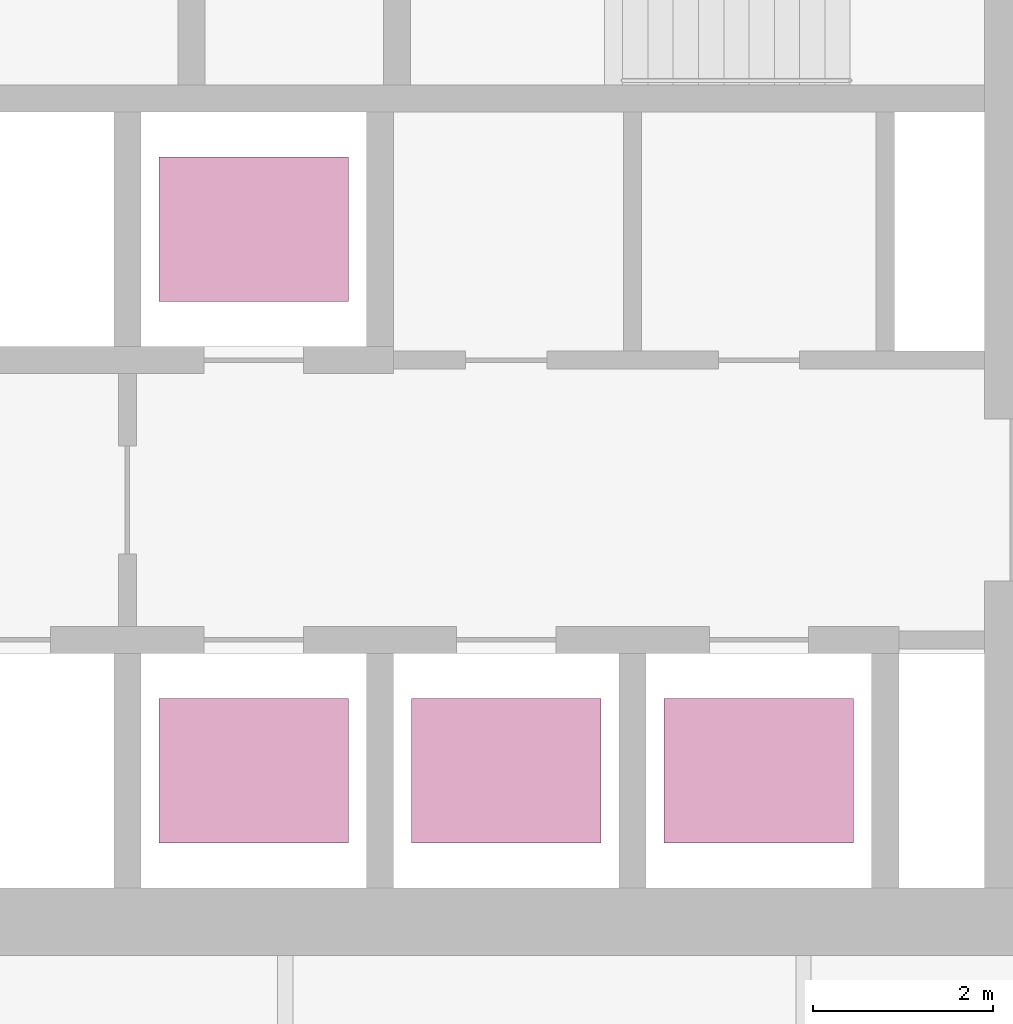
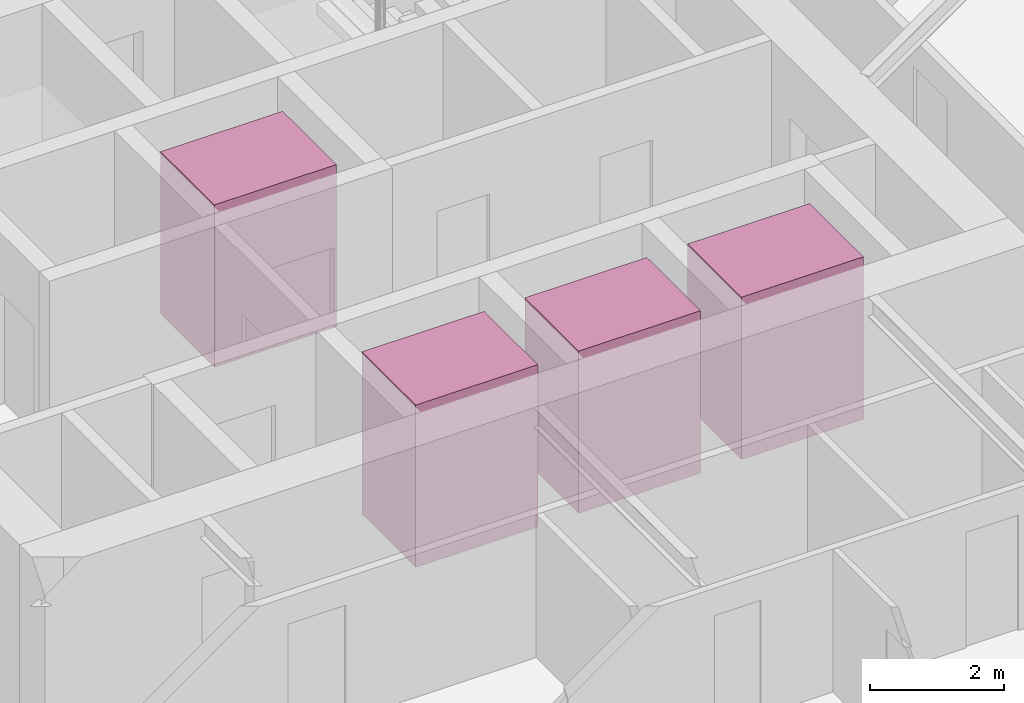
# One storey, part 23 of 24: 4 transport elements.
"""IFC4 building model written with IfcOpenShell, lengths in metres."""

from ifc_helpers import new_model, si_unit, direction, frame, origin, origin_2d, place, context, subcontext, project, spatial, rectangle, extrude, material, type_object, element, save


model = new_model("IFC4")

# Units and contexts
model_context = context("Model", 3, precision=1e-05, world=origin(), true_north=direction((0.0, 1.0)))
body_context = subcontext(model_context, "Body", "Model", "MODEL_VIEW")
ifc_project = project(units=[si_unit("LENGTHUNIT", "METRE"), si_unit("AREAUNIT", "SQUARE_METRE"), si_unit("VOLUMEUNIT", "CUBIC_METRE"), si_unit("PLANEANGLEUNIT", "RADIAN"), si_unit("MASSUNIT", "GRAM", prefix="KILO")], contexts=[model_context])

# Site, building, storey
site_placement = place(None, origin())
site = spatial("IfcSite", under=ifc_project, at=site_placement, CompositionType="ELEMENT")
building_placement = place(site_placement, origin())
building = spatial("IfcBuilding", under=site, at=building_placement, Name="Firuza Gate Tower and Library", CompositionType="ELEMENT")
storey_placement = place(building_placement, frame((0.0, 0.0, 323.10009765625)))
storey = spatial("IfcBuildingStorey", under=building, at=storey_placement, Name="L79", CompositionType="ELEMENT", Elevation=323.10009765625)

# Transport elements
ifc_material = material(Name="Stainless steel and glass", Category="steel")
transport_element_type = type_object("IfcTransportElementType", Name="High-rise lift car 2100x1600", PredefinedType="ELEVATOR", material=ifc_material)
for number, where, z_axis, x_axis, name in (
    (1, (74.64990234375, 70.300048828125, 0.0), (0.0, 0.0, 1.0), (1.0, 0.0, 0.0), "High-rise lift HR1"),
    (2, (77.449951171875, 70.300048828125, 0.0), (0.0, 0.0, 1.0), (1.0, 0.0, 0.0), "High-rise lift HR2"),
    (3, (80.25, 70.300048828125, 0.0), (0.0, 0.0, 1.0), (1.0, 0.0, 0.0), "High-rise lift HR3"),
    (4, (74.64990234375, 76.300048828125, 0.0), (0.0, 0.0, 1.0), (1.0, 0.0, 0.0), "High-rise lift HR4"),
):
    element("IfcTransportElement", number, at=place(storey_placement, frame(where, z_axis=z_axis, x_axis=x_axis)), inside=storey, type_object=transport_element_type, Name=name, PredefinedType="ELEVATOR", context=body_context, shape_type="SweptSolid", body=[
        extrude(rectangle(XDim=2.10009765625, YDim=1.60009765625, at=origin_2d()), origin(), (0.0, 0.0, 1.0), 2.949951171875),
    ])

save(model, "model.ifc")
